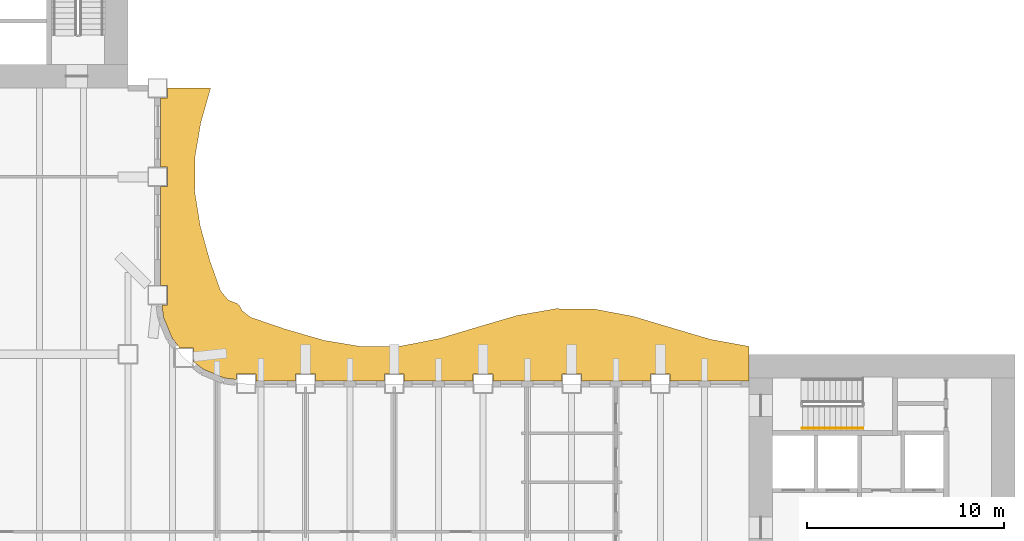
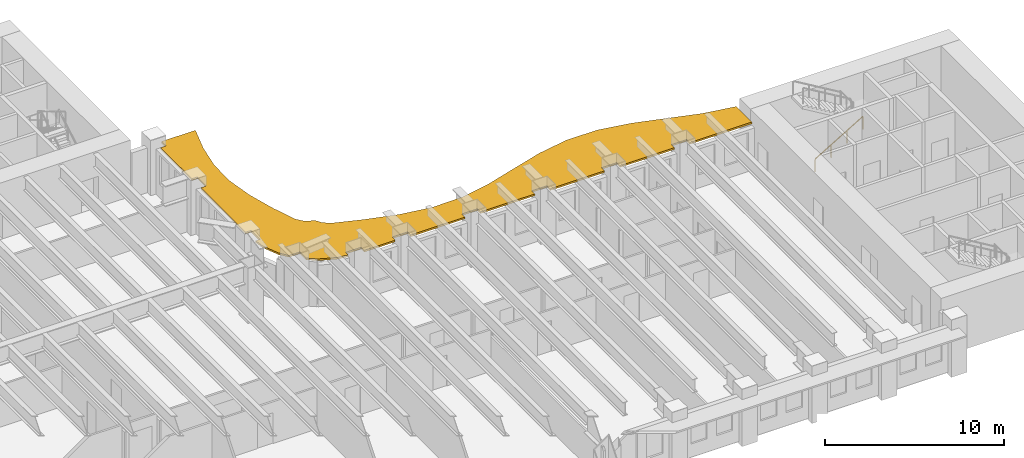
# One storey, part 14 of 16: 1 railing, 1 shading device.
"""IFC4 building model written with IfcOpenShell, lengths in metres."""

from ifc_helpers import new_model, si_unit, direction, frame, origin, origin_2d, place, context, subcontext, project, spatial, polyline, rectangle, outline, extrude, material, layer, layer_set, type_object, element, save


model = new_model("IFC4")

# Units and contexts
model_context = context("Model", 3, precision=1e-05, world=origin(), true_north=direction((0.0, 1.0)))
body_context = subcontext(model_context, "Body", "Model", "MODEL_VIEW")
ifc_project = project(units=[si_unit("LENGTHUNIT", "METRE"), si_unit("AREAUNIT", "SQUARE_METRE"), si_unit("VOLUMEUNIT", "CUBIC_METRE"), si_unit("PLANEANGLEUNIT", "RADIAN"), si_unit("MASSUNIT", "GRAM", prefix="KILO")], contexts=[model_context])

# Site, building, storey
site_placement = place(None, origin())
site = spatial("IfcSite", under=ifc_project, at=site_placement, CompositionType="ELEMENT")
building_placement = place(site_placement, origin())
building = spatial("IfcBuilding", under=site, at=building_placement, Name="Sennacour Bend Tower", CompositionType="ELEMENT")
storey_placement = place(building_placement, frame((0.0, 0.0, 127.0)))
storey = spatial("IfcBuildingStorey", under=building, at=storey_placement, Name="L29", CompositionType="ELEMENT", Elevation=127.0)

# Railing
ifc_material_1 = material(Name="Stainless steel", Category="steel")
railing_type = type_object("IfcRailingType", Name="RL-HANDRAIL-900", PredefinedType="HANDRAIL", material=ifc_material_1)
railing_placement = place(storey_placement, frame((56.699951171875, 18.75, 0.166748046875)))
element("IfcRailing", 1, at=railing_placement, inside=storey, type_object=railing_type, Name="L29 SA2 stair handrail 1", PredefinedType="HANDRAIL", context=body_context, shape_type="SweptSolid", body=[
    extrude(rectangle(XDim=0.048095703125, YDim=0.048095703125, at=origin_2d()), frame((0.0, 0.0, 0.8759765625), z_axis=(0.859308565015, 0.0, 0.511457515432), x_axis=(0.0, 1.0, 0.0)), (0.0, 0.0, 1.0), 3.58447265625),
    extrude(rectangle(XDim=0.0419921875, YDim=0.0419921875, at=origin_2d()), origin(), (0.0, 0.0, 1.0), 0.851806640625),
    extrude(rectangle(XDim=0.0419921875, YDim=0.0419921875, at=origin_2d()), frame((1.026611328125, 0.0, 0.611083984375)), (0.0, 0.0, 1.0), 0.851806640625),
    extrude(rectangle(XDim=0.0419921875, YDim=0.0419921875, at=origin_2d()), frame((2.053466796875, 0.0, 1.22216796875)), (0.0, 0.0, 1.0), 0.851806640625),
    extrude(rectangle(XDim=0.0419921875, YDim=0.0419921875, at=origin_2d()), frame((3.080078125, 0.0, 1.833251953125)), (0.0, 0.0, 1.0), 0.851806640625),
])

# Shading device
ifc_material_2 = material(Name="Bronze anodised aluminium", Category="aluminium")
ifc_layer = layer(ifc_material_2, 0.1201171875, Name="Bronze anodised aluminium", Category="aluminium")
ifc_layer_set = layer_set([ifc_layer], Name="Bronze anodised aluminium")
shading_device_type = type_object("IfcShadingDeviceType", Name="SUNSHADE BAND WAVE", PredefinedType="USERDEFINED", material=ifc_layer_set)
shading_device_placement = place(storey_placement, frame((0.0, 0.0, 2.93408203125)))
element("IfcShadingDevice", 2, at=shading_device_placement, inside=storey, type_object=shading_device_type, Name="Sunshade band L29 concave faces", ObjectType="SUNSHADE", PredefinedType="USERDEFINED", context=body_context, shape_type="SweptSolid", body=[
    extrude(outline(polyline([(54.0, 21.14990234375), (50.0, 21.14990234375), (50.0, 21.5), (49.0, 21.5), (49.0, 21.14990234375), (45.5, 21.14990234375), (45.5, 21.5), (44.5, 21.5), (44.5, 21.14990234375), (41.0, 21.14990234375), (41.0, 21.5), (40.0, 21.5), (40.0, 21.14990234375), (36.5, 21.14990234375), (36.5, 21.5), (35.5, 21.5), (35.5, 21.14990234375), (32.0, 21.14990234375), (32.0, 21.5), (31.0, 21.5), (31.0, 21.14990234375), (29.0, 21.14990234375), (29.0, 21.5), (28.0, 21.5), (28.0, 21.217041015625), (27.37451171875, 21.299560546875), (26.32568359375, 21.73388671875), (25.818115234375, 22.123291015625), (25.818115234375, 22.818115234375), (25.123291015625, 22.818115234375), (24.73388671875, 23.32568359375), (24.299560546875, 24.37451171875), (24.217041015625, 25.0), (24.5, 25.0), (24.5, 26.0), (24.14990234375, 26.0), (24.14990234375, 31.0), (24.5, 31.0), (24.5, 32.0), (24.14990234375, 32.0), (24.14990234375, 35.5), (24.5, 35.5), (24.5, 36.0), (26.6884765625, 36.0), (26.1923828125, 34.25), (25.89404296875, 32.5), (25.883056640625, 30.75), (26.16259765625, 29.0), (26.648681640625, 27.25), (27.195556640625, 25.70947265625), (27.576416015625, 25.25244140625), (28.060302734375, 25.060302734375), (28.1728515625, 24.93359375), (28.287841796875, 24.7080078125), (28.72119140625, 24.37451171875), (30.46142578125, 23.77978515625), (32.423095703125, 23.211181640625), (34.384521484375, 22.882568359375), (36.34619140625, 22.91650390625), (38.3076171875, 23.30078125), (40.269287109375, 23.89111328125), (42.230712890625, 24.4658203125), (44.1923828125, 24.809814453125), (46.15380859375, 24.793701171875), (48.115478515625, 24.423583984375), (50.076904296875, 23.83837890625), (52.03857421875, 23.257568359375), (54.0, 22.89892578125), (54.0, 21.14990234375)])), origin(), (0.0, 0.0, 1.0), 0.119873046875),
])

save(model, "model.ifc")
